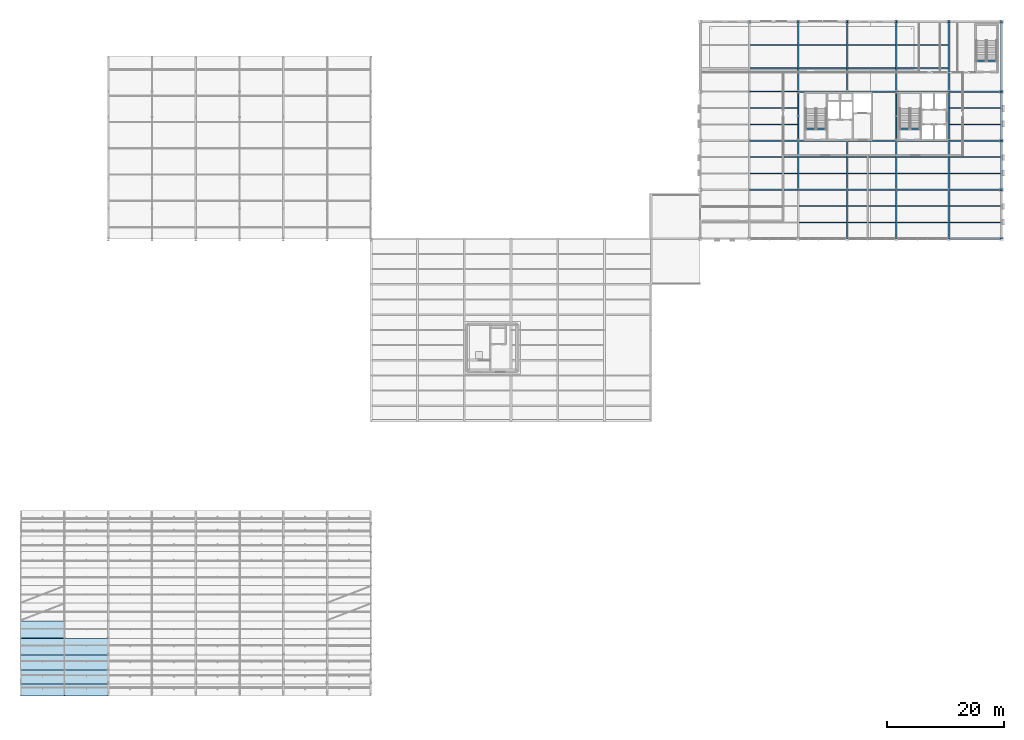
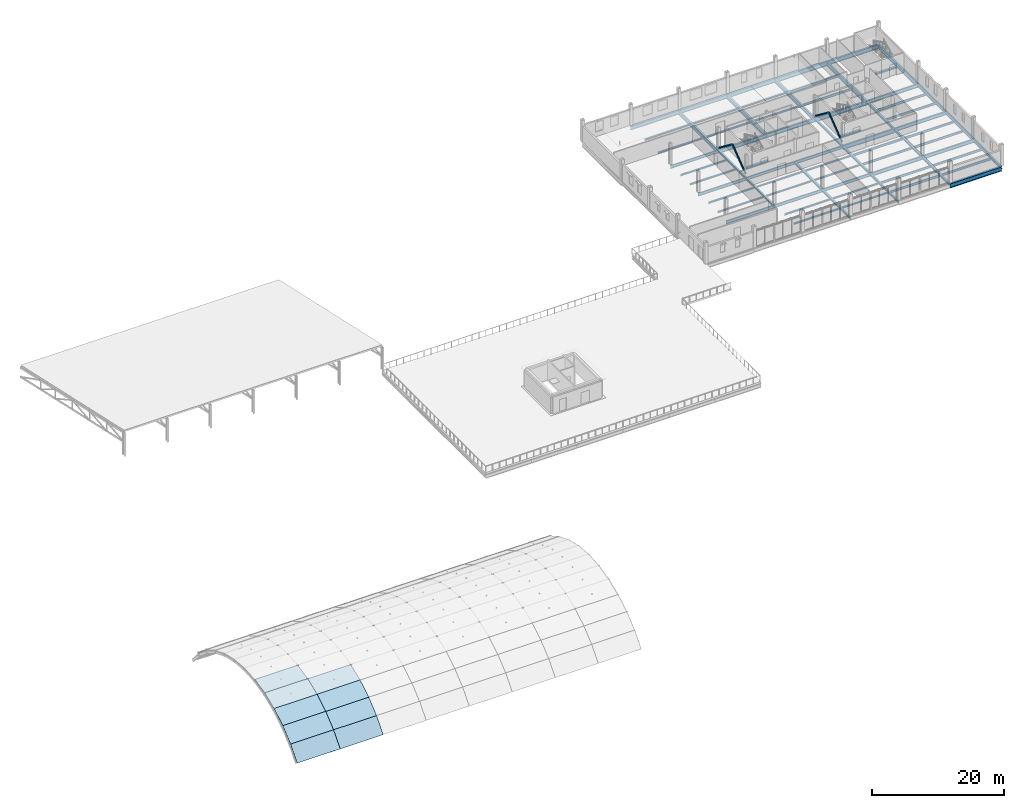
# One storey, part 41 of 77: 72 beams, 9 plates, 4 members.
"""IFC4 building model written with IfcOpenShell, lengths in metres."""

from ifc_helpers import new_model, si_unit, direction, frame, origin, origin_2d, place, context, subcontext, project, spatial, polyline, rectangle, hollow_circle, i_section, outline, extrude, material, layer, layer_set, material_profile, profile_set, type_object, element, save


model = new_model("IFC4")

# Units and contexts
model_context = context("Model", 3, precision=1e-05, world=origin(), true_north=direction((0.0, 1.0)))
body_context = subcontext(model_context, "Body", "Model", "MODEL_VIEW")
ifc_project = project(units=[si_unit("LENGTHUNIT", "METRE"), si_unit("AREAUNIT", "SQUARE_METRE"), si_unit("VOLUMEUNIT", "CUBIC_METRE"), si_unit("PLANEANGLEUNIT", "RADIAN"), si_unit("MASSUNIT", "GRAM", prefix="KILO")], contexts=[model_context])

# Site, building, storey
site_placement = place(None, origin())
site = spatial("IfcSite", under=ifc_project, at=site_placement, CompositionType="ELEMENT")
building_placement = place(site_placement, origin())
building = spatial("IfcBuilding", under=site, at=building_placement, Name="Yukiwa Park Conservatory and Herbarium", CompositionType="ELEMENT")
storey_placement = place(building_placement, frame((0.0, 0.0, 13.199951171875)))
storey = spatial("IfcBuildingStorey", under=building, at=storey_placement, Name="L03", CompositionType="ELEMENT", Elevation=13.199951171875)

# Beams
ifc_material_1 = material(Name="Steel Q355D", Category="steel")
ifc_material_profile_1 = material_profile(ifc_material_1, i_section(OverallWidth=0.300048828125, OverallDepth=0.389892578125, WebThickness=0.010009765625, FlangeThickness=0.01611328125, FilletRadius=0.02001953125, at=origin_2d()), Name="HM 390x300x10x16")
ifc_profile_set_1 = profile_set([ifc_material_profile_1], Name="Steel Q355D")
beam_type_1 = type_object("IfcBeamType", Name="BM-GRD-HM390", PredefinedType="BEAM", material=ifc_profile_set_1)
beam_1_placement = place(storey_placement, frame((133.199951171875, 86.406005859375, -0.4599609375), z_axis=(0.0, 1.0, 0.0), x_axis=(-1.0, 0.0, 0.0)))
element("IfcBeam", 1, at=beam_1_placement, inside=storey, type_object=beam_type_1, Name="L03 grid girder Y-98", PredefinedType="BEAM", context=body_context, shape_type="SweptSolid", body=[
    extrude(i_section(OverallWidth=0.300048828125, OverallDepth=0.389892578125, WebThickness=0.010009765625, FlangeThickness=0.01611328125, FilletRadius=0.02001953125, at=origin_2d()), origin(), (0.0, 0.0, 1.0), 8.387939453125),
])
beam_2_placement = place(storey_placement, frame((133.199951171875, 94.805908203125, -0.4599609375), z_axis=(0.0, 1.0, 0.0), x_axis=(-1.0, 0.0, 0.0)))
element("IfcBeam", 2, at=beam_2_placement, inside=storey, type_object=beam_type_1, Name="L03 grid girder Y-99", PredefinedType="BEAM", context=body_context, shape_type="SweptSolid", body=[
    extrude(i_section(OverallWidth=0.300048828125, OverallDepth=0.389892578125, WebThickness=0.010009765625, FlangeThickness=0.01611328125, FilletRadius=0.02001953125, at=origin_2d()), origin(), (0.0, 0.0, 1.0), 8.38818359375),
])
for number, where, z_axis, x_axis, name in (
    (3, (141.60009765625, 78.006103515625, -0.4599609375), (0.0, 1.0, 0.0), (-1.0, 0.0, 0.0), "L03 grid girder Y-101"),
    (4, (141.60009765625, 86.406005859375, -0.4599609375), (0.0, 1.0, 0.0), (-1.0, 0.0, 0.0), "L03 grid girder Y-102"),
    (5, (150.0, 78.006103515625, -0.4599609375), (0.0, 1.0, 0.0), (-1.0, 0.0, 0.0), "L03 grid girder Y-104"),
    (6, (150.0, 86.406005859375, -0.4599609375), (0.0, 1.0, 0.0), (-1.0, 0.0, 0.0), "L03 grid girder Y-105"),
):
    element("IfcBeam", number, at=place(storey_placement, frame(where, z_axis=z_axis, x_axis=x_axis)), inside=storey, type_object=beam_type_1, Name=name, PredefinedType="BEAM", context=body_context, shape_type="SweptSolid", body=[
        extrude(i_section(OverallWidth=0.300048828125, OverallDepth=0.389892578125, WebThickness=0.010009765625, FlangeThickness=0.01611328125, FilletRadius=0.02001953125, at=origin_2d()), origin(), (0.0, 0.0, 1.0), 8.387939453125),
    ])
beam_3_placement = place(storey_placement, frame((150.0, 94.805908203125, -0.4599609375), z_axis=(0.0, 1.0, 0.0), x_axis=(-1.0, 0.0, 0.0)))
element("IfcBeam", 7, at=beam_3_placement, inside=storey, type_object=beam_type_1, Name="L03 grid girder Y-106", PredefinedType="BEAM", context=body_context, shape_type="SweptSolid", body=[
    extrude(i_section(OverallWidth=0.300048828125, OverallDepth=0.389892578125, WebThickness=0.010009765625, FlangeThickness=0.01611328125, FilletRadius=0.02001953125, at=origin_2d()), origin(), (0.0, 0.0, 1.0), 8.38818359375),
])
for number, where, z_axis, x_axis, name in (
    (8, (159.0, 78.006103515625, -0.4599609375), (0.0, 1.0, 0.0), (-1.0, 0.0, 0.0), "L03 grid girder Y-108"),
    (9, (159.0, 86.406005859375, -0.4599609375), (0.0, 1.0, 0.0), (-1.0, 0.0, 0.0), "L03 grid girder Y-109"),
):
    element("IfcBeam", number, at=place(storey_placement, frame(where, z_axis=z_axis, x_axis=x_axis)), inside=storey, type_object=beam_type_1, Name=name, PredefinedType="BEAM", context=body_context, shape_type="SweptSolid", body=[
        extrude(i_section(OverallWidth=0.300048828125, OverallDepth=0.389892578125, WebThickness=0.010009765625, FlangeThickness=0.01611328125, FilletRadius=0.02001953125, at=origin_2d()), origin(), (0.0, 0.0, 1.0), 8.387939453125),
    ])
beam_4_placement = place(storey_placement, frame((159.0, 94.805908203125, -0.4599609375), z_axis=(0.0, 1.0, 0.0), x_axis=(-1.0, 0.0, 0.0)))
element("IfcBeam", 10, at=beam_4_placement, inside=storey, type_object=beam_type_1, Name="L03 grid girder Y-110", PredefinedType="BEAM", context=body_context, shape_type="SweptSolid", body=[
    extrude(i_section(OverallWidth=0.300048828125, OverallDepth=0.389892578125, WebThickness=0.010009765625, FlangeThickness=0.01611328125, FilletRadius=0.02001953125, at=origin_2d()), origin(), (0.0, 0.0, 1.0), 8.38818359375),
])
ifc_material_2 = material(Name="Steel Q355D", Category="steel")
ifc_material_profile_2 = material_profile(ifc_material_2, i_section(OverallWidth=0.199951171875, OverallDepth=0.550048828125, WebThickness=0.010009765625, FlangeThickness=0.01611328125, FilletRadius=0.02001953125, at=origin_2d()), Name="HN 550x200x10x16")
ifc_profile_set_2 = profile_set([ifc_material_profile_2], Name="Steel Q355D")
beam_type_2 = type_object("IfcBeamType", Name="BM-GRD-HN550", PredefinedType="BEAM", material=ifc_profile_set_2)
beam_5_placement = place(storey_placement, frame((124.805908203125, 86.39990234375, -0.5400390625), z_axis=(1.0, 0.0, 0.0), x_axis=(0.0, 1.0, 0.0)))
element("IfcBeam", 11, at=beam_5_placement, inside=storey, type_object=beam_type_2, Name="L03 grid beam X-37", PredefinedType="BEAM", context=body_context, shape_type="SweptSolid", body=[
    extrude(i_section(OverallWidth=0.199951171875, OverallDepth=0.550048828125, WebThickness=0.010009765625, FlangeThickness=0.01611328125, FilletRadius=0.02001953125, at=origin_2d()), origin(), (0.0, 0.0, 1.0), 8.38818359375),
])
for number, where, z_axis, x_axis, name in (
    (12, (133.2060546875, 86.39990234375, -0.5400390625), (1.0, 0.0, 0.0), (0.0, 1.0, 0.0), "L03 grid beam X-38"),
    (13, (141.60595703125, 86.39990234375, -0.5400390625), (1.0, 0.0, 0.0), (0.0, 1.0, 0.0), "L03 grid beam X-39"),
):
    element("IfcBeam", number, at=place(storey_placement, frame(where, z_axis=z_axis, x_axis=x_axis)), inside=storey, type_object=beam_type_2, Name=name, PredefinedType="BEAM", context=body_context, shape_type="SweptSolid", body=[
        extrude(i_section(OverallWidth=0.199951171875, OverallDepth=0.550048828125, WebThickness=0.010009765625, FlangeThickness=0.01611328125, FilletRadius=0.02001953125, at=origin_2d()), origin(), (0.0, 0.0, 1.0), 8.387939453125),
    ])
beam_6_placement = place(storey_placement, frame((124.805908203125, 94.800048828125, -0.5400390625), z_axis=(1.0, 0.0, 0.0), x_axis=(0.0, 1.0, 0.0)))
element("IfcBeam", 14, at=beam_6_placement, inside=storey, type_object=beam_type_2, Name="L03 grid beam X-43", PredefinedType="BEAM", context=body_context, shape_type="SweptSolid", body=[
    extrude(i_section(OverallWidth=0.199951171875, OverallDepth=0.550048828125, WebThickness=0.010009765625, FlangeThickness=0.01611328125, FilletRadius=0.02001953125, at=origin_2d()), origin(), (0.0, 0.0, 1.0), 8.38818359375),
])
for number, where, z_axis, x_axis, name in (
    (15, (133.2060546875, 94.800048828125, -0.5400390625), (1.0, 0.0, 0.0), (0.0, 1.0, 0.0), "L03 grid beam X-44"),
    (16, (141.60595703125, 94.800048828125, -0.5400390625), (1.0, 0.0, 0.0), (0.0, 1.0, 0.0), "L03 grid beam X-45"),
):
    element("IfcBeam", number, at=place(storey_placement, frame(where, z_axis=z_axis, x_axis=x_axis)), inside=storey, type_object=beam_type_2, Name=name, PredefinedType="BEAM", context=body_context, shape_type="SweptSolid", body=[
        extrude(i_section(OverallWidth=0.199951171875, OverallDepth=0.550048828125, WebThickness=0.010009765625, FlangeThickness=0.01611328125, FilletRadius=0.02001953125, at=origin_2d()), origin(), (0.0, 0.0, 1.0), 8.387939453125),
    ])
beam_7_placement = place(storey_placement, frame((124.805908203125, 103.199951171875, -0.5400390625), z_axis=(1.0, 0.0, 0.0), x_axis=(0.0, 1.0, 0.0)))
element("IfcBeam", 17, at=beam_7_placement, inside=storey, type_object=beam_type_2, Name="L03 grid beam X-49", PredefinedType="BEAM", context=body_context, shape_type="SweptSolid", body=[
    extrude(i_section(OverallWidth=0.199951171875, OverallDepth=0.550048828125, WebThickness=0.010009765625, FlangeThickness=0.01611328125, FilletRadius=0.02001953125, at=origin_2d()), origin(), (0.0, 0.0, 1.0), 8.38818359375),
])
ifc_material_3 = material(Name="Steel Q355D", Category="steel")
ifc_material_profile_3 = material_profile(ifc_material_3, i_section(OverallWidth=0.25, OverallDepth=0.64990234375, WebThickness=0.011962890625, FlangeThickness=0.02001953125, FilletRadius=0.02392578125, at=origin_2d()), Name="HN 650x250x12x20")
ifc_profile_set_3 = profile_set([ifc_material_profile_3], Name="Steel Q355D")
beam_type_3 = type_object("IfcBeamType", Name="BM-GRD-HN650", PredefinedType="BEAM", material=ifc_profile_set_3)
for number, where, z_axis, x_axis, name in (
    (18, (150.006103515625, 86.39990234375, -0.58984375), (1.0, 0.0, 0.0), (0.0, 1.0, 0.0), "L03 grid beam X-40"),
    (19, (159.006103515625, 86.39990234375, -0.58984375), (1.0, 0.0, 0.0), (0.0, 1.0, 0.0), "L03 grid beam X-41"),
    (20, (159.006103515625, 94.800048828125, -0.58984375), (1.0, 0.0, 0.0), (0.0, 1.0, 0.0), "L03 grid beam X-47"),
    (21, (159.006103515625, 103.199951171875, -0.58984375), (1.0, 0.0, 0.0), (0.0, 1.0, 0.0), "L03 grid beam X-53"),
):
    element("IfcBeam", number, at=place(storey_placement, frame(where, z_axis=z_axis, x_axis=x_axis)), inside=storey, type_object=beam_type_3, Name=name, PredefinedType="BEAM", context=body_context, shape_type="SweptSolid", body=[
        extrude(i_section(OverallWidth=0.25, OverallDepth=0.64990234375, WebThickness=0.011962890625, FlangeThickness=0.02001953125, FilletRadius=0.02392578125, at=origin_2d()), origin(), (0.0, 0.0, 1.0), 8.98779296875),
    ])
ifc_material_4 = material(Name="Steel Q355D", Category="steel")
ifc_material_profile_4 = material_profile(ifc_material_4, i_section(OverallWidth=0.300048828125, OverallDepth=0.75, WebThickness=0.012939453125, FlangeThickness=0.02392578125, FilletRadius=0.028076171875, at=origin_2d()), Name="HN 750x300x13x24")
ifc_profile_set_4 = profile_set([ifc_material_profile_4], Name="Steel Q355D")
beam_type_4 = type_object("IfcBeamType", Name="BM-GRD-HN750", PredefinedType="BEAM", material=ifc_profile_set_4)
for number, where, z_axis, x_axis, name in (
    (22, (133.199951171875, 103.2060546875, -0.639892578125), (0.0, 1.0, 0.0), (-1.0, 0.0, 0.0), "L03 grid girder Y-100"),
    (23, (141.60009765625, 103.2060546875, -0.639892578125), (0.0, 1.0, 0.0), (-1.0, 0.0, 0.0), "L03 grid girder Y-103"),
    (24, (150.0, 103.2060546875, -0.639892578125), (0.0, 1.0, 0.0), (-1.0, 0.0, 0.0), "L03 grid girder Y-107"),
    (25, (159.0, 103.2060546875, -0.639892578125), (0.0, 1.0, 0.0), (-1.0, 0.0, 0.0), "L03 grid girder Y-111"),
):
    element("IfcBeam", number, at=place(storey_placement, frame(where, z_axis=z_axis, x_axis=x_axis)), inside=storey, type_object=beam_type_4, Name=name, PredefinedType="BEAM", context=body_context, shape_type="SweptSolid", body=[
        extrude(i_section(OverallWidth=0.300048828125, OverallDepth=0.75, WebThickness=0.012939453125, FlangeThickness=0.02392578125, FilletRadius=0.028076171875, at=origin_2d()), origin(), (0.0, 0.0, 1.0), 11.988037109375),
    ])
ifc_material_5 = material(Name="Steel Q355D", Category="steel")
ifc_material_profile_5 = material_profile(ifc_material_5, i_section(OverallWidth=0.199951171875, OverallDepth=0.2939453125, WebThickness=0.008056640625, FlangeThickness=0.011962890625, FilletRadius=0.01806640625, at=origin_2d()), Name="HM 294x200x8x12")
ifc_profile_set_5 = profile_set([ifc_material_profile_5], Name="Steel Q355D")
beam_type_5 = type_object("IfcBeamType", Name="BM-JST-HM294", PredefinedType="JOIST", material=ifc_profile_set_5)
for number, where, z_axis, x_axis, name in (
    (26, (124.946044921875, 89.199951171875, -0.411865234375), (1.0, 0.0, 0.0), (0.0, 1.0, 0.0), "L03 composite floor joist 55"),
    (27, (124.946044921875, 92.0, -0.411865234375), (1.0, 0.0, 0.0), (0.0, 1.0, 0.0), "L03 composite floor joist 56"),
    (28, (124.946044921875, 97.60009765625, -0.411865234375), (1.0, 0.0, 0.0), (0.0, 1.0, 0.0), "L03 composite floor joist 57"),
    (29, (124.946044921875, 100.39990234375, -0.411865234375), (1.0, 0.0, 0.0), (0.0, 1.0, 0.0), "L03 composite floor joist 58"),
    (30, (124.946044921875, 107.199951171875, -0.411865234375), (1.0, 0.0, 0.0), (0.0, 1.0, 0.0), "L03 composite floor joist 59"),
    (31, (124.946044921875, 111.199951171875, -0.411865234375), (1.0, 0.0, 0.0), (0.0, 1.0, 0.0), "L03 composite floor joist 60"),
):
    element("IfcBeam", number, at=place(storey_placement, frame(where, z_axis=z_axis, x_axis=x_axis)), inside=storey, type_object=beam_type_5, Name=name, PredefinedType="JOIST", context=body_context, shape_type="SweptSolid", body=[
        extrude(i_section(OverallWidth=0.199951171875, OverallDepth=0.2939453125, WebThickness=0.008056640625, FlangeThickness=0.011962890625, FilletRadius=0.01806640625, at=origin_2d()), origin(), (0.0, 0.0, 1.0), 8.10791015625),
    ])
for number, where, z_axis, x_axis, name in (
    (32, (133.345947265625, 80.800048828125, -0.411865234375), (1.0, 0.0, 0.0), (0.0, 1.0, 0.0), "L03 composite floor joist 61"),
    (33, (133.345947265625, 83.60009765625, -0.411865234375), (1.0, 0.0, 0.0), (0.0, 1.0, 0.0), "L03 composite floor joist 62"),
    (34, (133.345947265625, 89.199951171875, -0.411865234375), (1.0, 0.0, 0.0), (0.0, 1.0, 0.0), "L03 composite floor joist 63"),
    (35, (133.345947265625, 92.0, -0.411865234375), (1.0, 0.0, 0.0), (0.0, 1.0, 0.0), "L03 composite floor joist 64"),
    (36, (133.345947265625, 107.199951171875, -0.411865234375), (1.0, 0.0, 0.0), (0.0, 1.0, 0.0), "L03 composite floor joist 65"),
    (37, (133.345947265625, 111.199951171875, -0.411865234375), (1.0, 0.0, 0.0), (0.0, 1.0, 0.0), "L03 composite floor joist 66"),
):
    element("IfcBeam", number, at=place(storey_placement, frame(where, z_axis=z_axis, x_axis=x_axis)), inside=storey, type_object=beam_type_5, Name=name, PredefinedType="JOIST", context=body_context, shape_type="SweptSolid", body=[
        extrude(i_section(OverallWidth=0.199951171875, OverallDepth=0.2939453125, WebThickness=0.008056640625, FlangeThickness=0.011962890625, FilletRadius=0.01806640625, at=origin_2d()), origin(), (0.0, 0.0, 1.0), 8.108154296875),
    ])
for number, where, z_axis, x_axis, name in (
    (38, (141.74609375, 80.800048828125, -0.411865234375), (1.0, 0.0, 0.0), (0.0, 1.0, 0.0), "L03 composite floor joist 67"),
    (39, (141.74609375, 83.60009765625, -0.411865234375), (1.0, 0.0, 0.0), (0.0, 1.0, 0.0), "L03 composite floor joist 68"),
    (40, (141.74609375, 89.199951171875, -0.411865234375), (1.0, 0.0, 0.0), (0.0, 1.0, 0.0), "L03 composite floor joist 69"),
    (41, (141.74609375, 92.0, -0.411865234375), (1.0, 0.0, 0.0), (0.0, 1.0, 0.0), "L03 composite floor joist 70"),
    (42, (141.74609375, 107.199951171875, -0.411865234375), (1.0, 0.0, 0.0), (0.0, 1.0, 0.0), "L03 composite floor joist 71"),
    (43, (141.74609375, 111.199951171875, -0.411865234375), (1.0, 0.0, 0.0), (0.0, 1.0, 0.0), "L03 composite floor joist 72"),
):
    element("IfcBeam", number, at=place(storey_placement, frame(where, z_axis=z_axis, x_axis=x_axis)), inside=storey, type_object=beam_type_5, Name=name, PredefinedType="JOIST", context=body_context, shape_type="SweptSolid", body=[
        extrude(i_section(OverallWidth=0.199951171875, OverallDepth=0.2939453125, WebThickness=0.008056640625, FlangeThickness=0.011962890625, FilletRadius=0.01806640625, at=origin_2d()), origin(), (0.0, 0.0, 1.0), 8.10791015625),
    ])
ifc_material_6 = material(Name="Steel Q355D", Category="steel")
ifc_material_profile_6 = material_profile(ifc_material_6, i_section(OverallWidth=0.199951171875, OverallDepth=0.39990234375, WebThickness=0.008056640625, FlangeThickness=0.012939453125, FilletRadius=0.01611328125, at=origin_2d()), Name="HN 400x200x8x13")
ifc_profile_set_6 = profile_set([ifc_material_profile_6], Name="Steel Q355D")
beam_type_6 = type_object("IfcBeamType", Name="BM-JST-HN400", PredefinedType="JOIST", material=ifc_profile_set_6)
for number, where, z_axis, x_axis, name in (
    (44, (150.14599609375, 80.800048828125, -0.46484375), (1.0, 0.0, 0.0), (0.0, 1.0, 0.0), "L03 composite floor joist 73"),
    (45, (150.14599609375, 83.60009765625, -0.46484375), (1.0, 0.0, 0.0), (0.0, 1.0, 0.0), "L03 composite floor joist 74"),
    (46, (150.14599609375, 89.199951171875, -0.46484375), (1.0, 0.0, 0.0), (0.0, 1.0, 0.0), "L03 composite floor joist 75"),
    (47, (150.14599609375, 92.0, -0.46484375), (1.0, 0.0, 0.0), (0.0, 1.0, 0.0), "L03 composite floor joist 76"),
    (48, (150.14599609375, 107.199951171875, -0.46484375), (1.0, 0.0, 0.0), (0.0, 1.0, 0.0), "L03 composite floor joist 77"),
    (49, (150.14599609375, 111.199951171875, -0.46484375), (1.0, 0.0, 0.0), (0.0, 1.0, 0.0), "L03 composite floor joist 78"),
    (50, (159.14599609375, 80.800048828125, -0.46484375), (1.0, 0.0, 0.0), (0.0, 1.0, 0.0), "L03 composite floor joist 79"),
    (51, (159.14599609375, 83.60009765625, -0.46484375), (1.0, 0.0, 0.0), (0.0, 1.0, 0.0), "L03 composite floor joist 80"),
    (52, (159.14599609375, 89.199951171875, -0.46484375), (1.0, 0.0, 0.0), (0.0, 1.0, 0.0), "L03 composite floor joist 81"),
    (53, (159.14599609375, 92.0, -0.46484375), (1.0, 0.0, 0.0), (0.0, 1.0, 0.0), "L03 composite floor joist 82"),
    (54, (159.14599609375, 97.60009765625, -0.46484375), (1.0, 0.0, 0.0), (0.0, 1.0, 0.0), "L03 composite floor joist 83"),
    (55, (159.14599609375, 100.39990234375, -0.46484375), (1.0, 0.0, 0.0), (0.0, 1.0, 0.0), "L03 composite floor joist 84"),
):
    element("IfcBeam", number, at=place(storey_placement, frame(where, z_axis=z_axis, x_axis=x_axis)), inside=storey, type_object=beam_type_6, Name=name, PredefinedType="JOIST", context=body_context, shape_type="SweptSolid", body=[
        extrude(i_section(OverallWidth=0.199951171875, OverallDepth=0.39990234375, WebThickness=0.008056640625, FlangeThickness=0.012939453125, FilletRadius=0.01611328125, at=origin_2d()), origin(), (0.0, 0.0, 1.0), 8.7080078125),
    ])
ifc_material_7 = material(Name="Steel Q355D", Category="steel")
ifc_material_profile_7 = material_profile(ifc_material_7, i_section(OverallWidth=0.300048828125, OverallDepth=0.5, WebThickness=0.010986328125, FlangeThickness=0.01806640625, FilletRadius=0.02392578125, at=origin_2d()), Name="HM 500x300x11x18")
ifc_profile_set_7 = profile_set([ifc_material_profile_7], Name="Steel Q355D")
beam_type_7 = type_object("IfcBeamType", Name="BM-SPN-HN500", PredefinedType="SPANDREL", material=ifc_profile_set_7)
for number, where, z_axis, x_axis, name in (
    (56, (168.0, 78.006103515625, -0.514892578125), (0.0, 1.0, 0.0), (-1.0, 0.0, 0.0), "L03 spandrel girder Y-112"),
    (57, (168.0, 86.406005859375, -0.514892578125), (0.0, 1.0, 0.0), (-1.0, 0.0, 0.0), "L03 spandrel girder Y-113"),
):
    element("IfcBeam", number, at=place(storey_placement, frame(where, z_axis=z_axis, x_axis=x_axis)), inside=storey, type_object=beam_type_7, Name=name, PredefinedType="SPANDREL", context=body_context, shape_type="SweptSolid", body=[
        extrude(i_section(OverallWidth=0.300048828125, OverallDepth=0.5, WebThickness=0.010986328125, FlangeThickness=0.01806640625, FilletRadius=0.02392578125, at=origin_2d()), origin(), (0.0, 0.0, 1.0), 8.387939453125),
    ])
beam_8_placement = place(storey_placement, frame((168.0, 94.805908203125, -0.514892578125), z_axis=(0.0, 1.0, 0.0), x_axis=(-1.0, 0.0, 0.0)))
element("IfcBeam", 58, at=beam_8_placement, inside=storey, type_object=beam_type_7, Name="L03 spandrel girder Y-114", PredefinedType="SPANDREL", context=body_context, shape_type="SweptSolid", body=[
    extrude(i_section(OverallWidth=0.300048828125, OverallDepth=0.5, WebThickness=0.010986328125, FlangeThickness=0.01806640625, FilletRadius=0.02392578125, at=origin_2d()), origin(), (0.0, 0.0, 1.0), 8.38818359375),
])
ifc_material_8 = material(Name="Steel Q355D", Category="steel")
ifc_material_profile_8 = material_profile(ifc_material_8, i_section(OverallWidth=0.300048828125, OverallDepth=0.69189453125, WebThickness=0.012939453125, FlangeThickness=0.02001953125, FilletRadius=0.028076171875, at=origin_2d()), Name="HN 692x300x13x20")
ifc_profile_set_8 = profile_set([ifc_material_profile_8], Name="Steel Q355D")
beam_type_8 = type_object("IfcBeamType", Name="BM-SPN-HN550", PredefinedType="SPANDREL", material=ifc_profile_set_8)
for number, where, z_axis, x_axis, name in (
    (59, (133.2060546875, 103.199951171875, -0.61083984375), (1.0, 0.0, 0.0), (0.0, 1.0, 0.0), "L03 spandrel beam X-50"),
    (60, (141.60595703125, 103.199951171875, -0.61083984375), (1.0, 0.0, 0.0), (0.0, 1.0, 0.0), "L03 spandrel beam X-51"),
):
    element("IfcBeam", number, at=place(storey_placement, frame(where, z_axis=z_axis, x_axis=x_axis)), inside=storey, type_object=beam_type_8, Name=name, PredefinedType="SPANDREL", context=body_context, shape_type="SweptSolid", body=[
        extrude(i_section(OverallWidth=0.300048828125, OverallDepth=0.69189453125, WebThickness=0.012939453125, FlangeThickness=0.02001953125, FilletRadius=0.028076171875, at=origin_2d()), origin(), (0.0, 0.0, 1.0), 8.387939453125),
    ])
beam_9_placement = place(storey_placement, frame((124.805908203125, 115.199951171875, -0.61083984375), z_axis=(1.0, 0.0, 0.0), x_axis=(0.0, 1.0, 0.0)))
element("IfcBeam", 61, at=beam_9_placement, inside=storey, type_object=beam_type_8, Name="L03 spandrel beam X-55", PredefinedType="SPANDREL", context=body_context, shape_type="SweptSolid", body=[
    extrude(i_section(OverallWidth=0.300048828125, OverallDepth=0.69189453125, WebThickness=0.012939453125, FlangeThickness=0.02001953125, FilletRadius=0.028076171875, at=origin_2d()), origin(), (0.0, 0.0, 1.0), 8.38818359375),
])
for number, where, z_axis, x_axis, name in (
    (62, (133.2060546875, 115.199951171875, -0.61083984375), (1.0, 0.0, 0.0), (0.0, 1.0, 0.0), "L03 spandrel beam X-56"),
    (63, (141.60595703125, 115.199951171875, -0.61083984375), (1.0, 0.0, 0.0), (0.0, 1.0, 0.0), "L03 spandrel beam X-57"),
):
    element("IfcBeam", number, at=place(storey_placement, frame(where, z_axis=z_axis, x_axis=x_axis)), inside=storey, type_object=beam_type_8, Name=name, PredefinedType="SPANDREL", context=body_context, shape_type="SweptSolid", body=[
        extrude(i_section(OverallWidth=0.300048828125, OverallDepth=0.69189453125, WebThickness=0.012939453125, FlangeThickness=0.02001953125, FilletRadius=0.028076171875, at=origin_2d()), origin(), (0.0, 0.0, 1.0), 8.387939453125),
    ])
ifc_material_9 = material(Name="Steel Q355D", Category="steel")
ifc_material_profile_9 = material_profile(ifc_material_9, i_section(OverallWidth=0.300048828125, OverallDepth=0.7919921875, WebThickness=0.013916015625, FlangeThickness=0.02197265625, FilletRadius=0.028076171875, at=origin_2d()), Name="HN 792x300x14x22")
ifc_profile_set_9 = profile_set([ifc_material_profile_9], Name="Steel Q355D")
beam_type_9 = type_object("IfcBeamType", Name="BM-SPN-HN600", PredefinedType="SPANDREL", material=ifc_profile_set_9)
for number, where, z_axis, x_axis, name in (
    (64, (159.006103515625, 78.0, -0.660888671875), (1.0, 0.0, 0.0), (0.0, 1.0, 0.0), "L03 spandrel beam X-35"),
    (65, (150.006103515625, 94.800048828125, -0.660888671875), (1.0, 0.0, 0.0), (0.0, 1.0, 0.0), "L03 spandrel beam X-46"),
    (66, (150.006103515625, 103.199951171875, -0.660888671875), (1.0, 0.0, 0.0), (0.0, 1.0, 0.0), "L03 spandrel beam X-52"),
    (67, (150.006103515625, 115.199951171875, -0.660888671875), (1.0, 0.0, 0.0), (0.0, 1.0, 0.0), "L03 spandrel beam X-58"),
    (68, (159.006103515625, 115.199951171875, -0.660888671875), (1.0, 0.0, 0.0), (0.0, 1.0, 0.0), "L03 spandrel beam X-59"),
):
    element("IfcBeam", number, at=place(storey_placement, frame(where, z_axis=z_axis, x_axis=x_axis)), inside=storey, type_object=beam_type_9, Name=name, PredefinedType="SPANDREL", context=body_context, shape_type="SweptSolid", body=[
        extrude(i_section(OverallWidth=0.300048828125, OverallDepth=0.7919921875, WebThickness=0.013916015625, FlangeThickness=0.02197265625, FilletRadius=0.028076171875, at=origin_2d()), origin(), (0.0, 0.0, 1.0), 8.98779296875),
    ])
beam_10_placement = place(storey_placement, frame((168.0, 103.2060546875, -0.660888671875), z_axis=(0.0, 1.0, 0.0), x_axis=(-1.0, 0.0, 0.0)))
element("IfcBeam", 69, at=beam_10_placement, inside=storey, type_object=beam_type_9, Name="L03 spandrel girder Y-115", PredefinedType="SPANDREL", context=body_context, shape_type="SweptSolid", body=[
    extrude(i_section(OverallWidth=0.300048828125, OverallDepth=0.7919921875, WebThickness=0.013916015625, FlangeThickness=0.02197265625, FilletRadius=0.028076171875, at=origin_2d()), origin(), (0.0, 0.0, 1.0), 11.988037109375),
])
ifc_material_10 = material(Name="Concrete C40", Category="concrete")
ifc_material_profile_10 = material_profile(ifc_material_10, rectangle(XDim=0.35009765625, YDim=0.300048828125, at=origin_2d()), Name="RC 350x300")
ifc_profile_set_10 = profile_set([ifc_material_profile_10], Name="Concrete C40")
beam_type_10 = type_object("IfcBeamType", Name="BM-STAIR-TRIM", PredefinedType="BEAM", material=ifc_profile_set_10)
for number, where, z_axis, x_axis, name in (
    (70, (134.3701171875, 96.81005859375, -0.14990234375), (1.0, 0.0, 0.0), (0.0, 1.0, 0.0), "Stair ST-T1 L03 landing trimmer beam"),
    (71, (150.47998046875, 96.81005859375, -0.14990234375), (1.0, 0.0, 0.0), (0.0, 1.0, 0.0), "Stair ST-T2 L03 landing trimmer beam"),
    (72, (163.570068359375, 108.4599609375, -0.14990234375), (1.0, 0.0, 0.0), (0.0, 1.0, 0.0), "Stair ST-T3 L03 landing trimmer beam"),
):
    element("IfcBeam", number, at=place(storey_placement, frame(where, z_axis=z_axis, x_axis=x_axis)), inside=storey, type_object=beam_type_10, Name=name, PredefinedType="BEAM", context=body_context, shape_type="SweptSolid", body=[
        extrude(rectangle(XDim=0.35009765625, YDim=0.300048828125, at=origin_2d()), origin(), (0.0, 0.0, 1.0), 3.75),
    ])

# Members
ifc_material_11 = material(Name="Steel Q355D", Category="steel")
ifc_material_profile_11 = material_profile(ifc_material_11, hollow_circle(Radius=0.149169921875, WallThickness=0.011962890625, at=origin_2d()), Name="CHS 298.5x12")
ifc_profile_set_11 = profile_set([ifc_material_profile_11], Name="Steel Q355D")
member_type = type_object("IfcMemberType", Name="MB-BR-CHS298", PredefinedType="BRACE", material=ifc_profile_set_11)
for number, where, z_axis, x_axis, name in (
    (73, (133.199951171875, 95.00537109375, 0.2060546875), (0.0, 0.795860285517, 0.605480310115), (-1.0, 0.0, 0.0), "L03 concentric chevron brace 25"),
    (74, (133.199951171875, 102.99462890625, 0.2060546875), (0.0, -0.795860285517, 0.605480310115), (1.0, 0.0, 0.0), "L03 concentric chevron brace 26"),
    (75, (150.0, 95.00537109375, 0.2060546875), (0.0, 0.795860285517, 0.605480310115), (-1.0, 0.0, 0.0), "L03 concentric chevron brace 27"),
    (76, (150.0, 102.99462890625, 0.2060546875), (0.0, -0.795860285517, 0.605480310115), (1.0, 0.0, 0.0), "L03 concentric chevron brace 28"),
):
    element("IfcMember", number, at=place(storey_placement, frame(where, z_axis=z_axis, x_axis=x_axis)), inside=storey, type_object=member_type, Name=name, PredefinedType="BRACE", context=body_context, shape_type="SweptSolid", body=[
        extrude(hollow_circle(Radius=0.149169921875, WallThickness=0.011962890625, at=origin_2d()), origin(), (0.0, 0.0, 1.0), 5.019287109375),
    ])

# Plates
ifc_material_12 = material(Name="Laminated Tempered Safety Glass", Category="glass")
ifc_layer_1 = layer(ifc_material_12, 0.031982421875)
ifc_layer_set_1 = layer_set([ifc_layer_1], Name="Laminated Tempered Safety Glass")
plate_type_1 = type_object("IfcPlateType", Name="PL-VAULT-GLASS-32", PredefinedType="SHEET", material=ifc_layer_set_1)
plate_1_placement = place(storey_placement, frame((7.5, -0.27197265625, -3.995849609375), z_axis=(0.0, -0.75130141371, 0.659959230375), x_axis=(1.0, 0.0, 0.0)))
element("IfcPlate", 77, at=plate_1_placement, inside=storey, type_object=plate_type_1, Name="Conservatory Barrel Vault Glazed Roof Panel 2.1", PredefinedType="SHEET", context=body_context, shape_type="SweptSolid", body=[
    extrude(outline(polyline([(0.0, 0.0), (7.5, 0.0), (7.5, 3.0630443244962575), (0.0, 3.0630443244962575), (0.0, 0.0)])), origin(), (0.0, 0.0, -1.0), 0.031982421875),
])
plate_2_placement = place(storey_placement, frame((7.5, 1.74951171875, -1.694580078125), z_axis=(0.0, -0.640725169959, 0.767770314991), x_axis=(1.0, 0.0, 0.0)))
element("IfcPlate", 78, at=plate_2_placement, inside=storey, type_object=plate_type_1, Name="Conservatory Barrel Vault Glazed Roof Panel 2.2", PredefinedType="SHEET", context=body_context, shape_type="SweptSolid", body=[
    extrude(outline(polyline([(0.0, 0.0), (7.5, 0.0), (7.5, 3.0631643275406226), (0.0, 3.0631643275406226), (0.0, 0.0)])), origin(), (0.0, 0.0, -1.0), 0.031982421875),
])
plate_3_placement = place(storey_placement, frame((7.5, 4.101318359375, 0.26806640625), z_axis=(0.0, -0.514929340992, 0.857232625246), x_axis=(1.0, 0.0, 0.0)))
element("IfcPlate", 79, at=plate_3_placement, inside=storey, type_object=plate_type_1, Name="Conservatory Barrel Vault Glazed Roof Panel 2.3", PredefinedType="SHEET", context=body_context, shape_type="SweptSolid", body=[
    extrude(outline(polyline([(0.0, 0.0), (7.5, 0.0), (7.5, 3.063318503244994), (0.0, 3.063318503244994), (0.0, 0.0)])), origin(), (0.0, 0.0, -1.0), 0.031982421875),
])
plate_4_placement = place(storey_placement, frame((7.5, 6.727294921875, 1.845458984375), z_axis=(0.0, -0.376825946755, 0.926284084853), x_axis=(1.0, 0.0, 0.0)))
element("IfcPlate", 80, at=plate_4_placement, inside=storey, type_object=plate_type_1, Name="Conservatory Barrel Vault Glazed Roof Panel 2.4", PredefinedType="SHEET", context=body_context, shape_type="SweptSolid", body=[
    extrude(outline(polyline([(0.0, 0.0), (7.5, 0.0), (7.5, 3.063209646098804), (0.0, 3.063209646098804), (0.0, 0.0)])), origin(), (0.0, 0.0, -1.0), 0.031982421875),
])
ifc_material_13 = material(Name="Laminated Tempered Safety Glass", Category="glass")
ifc_layer_2 = layer(ifc_material_13, 0.0419921875)
ifc_layer_set_2 = layer_set([ifc_layer_2], Name="Laminated Tempered Safety Glass")
plate_type_2 = type_object("IfcPlateType", Name="PL-VAULT-GLASS-42", PredefinedType="SHEET", material=ifc_layer_set_2)
plate_5_placement = place(storey_placement, frame((0.0, -0.27197265625, -3.995849609375), z_axis=(0.0, -0.75130141371, 0.659959230375), x_axis=(1.0, 0.0, 0.0)))
element("IfcPlate", 81, at=plate_5_placement, inside=storey, type_object=plate_type_2, Name="Conservatory Barrel Vault Glazed Roof Panel 1.1", PredefinedType="SHEET", context=body_context, shape_type="SweptSolid", body=[
    extrude(outline(polyline([(0.0, 0.0), (7.5, 0.0), (7.5, 3.0630443244962575), (0.0, 3.0630443244962575), (0.0, 0.0)])), origin(), (0.0, 0.0, -1.0), 0.0419921875),
])
plate_6_placement = place(storey_placement, frame((0.0, 1.74951171875, -1.694580078125), z_axis=(0.0, -0.640725169959, 0.767770314991), x_axis=(1.0, 0.0, 0.0)))
element("IfcPlate", 82, at=plate_6_placement, inside=storey, type_object=plate_type_2, Name="Conservatory Barrel Vault Glazed Roof Panel 1.2", PredefinedType="SHEET", context=body_context, shape_type="SweptSolid", body=[
    extrude(outline(polyline([(0.0, 0.0), (7.5, 0.0), (7.5, 3.0631643275406226), (0.0, 3.0631643275406226), (0.0, 0.0)])), origin(), (0.0, 0.0, -1.0), 0.0419921875),
])
plate_7_placement = place(storey_placement, frame((0.0, 4.101318359375, 0.26806640625), z_axis=(0.0, -0.514929340992, 0.857232625246), x_axis=(1.0, 0.0, 0.0)))
element("IfcPlate", 83, at=plate_7_placement, inside=storey, type_object=plate_type_2, Name="Conservatory Barrel Vault Glazed Roof Panel 1.3", PredefinedType="SHEET", context=body_context, shape_type="SweptSolid", body=[
    extrude(outline(polyline([(0.0, 0.0), (7.5, 0.0), (7.5, 3.063318503244994), (0.0, 3.063318503244994), (0.0, 0.0)])), origin(), (0.0, 0.0, -1.0), 0.0419921875),
])
plate_8_placement = place(storey_placement, frame((0.0, 6.727294921875, 1.845458984375), z_axis=(0.0, -0.376825946755, 0.926284084853), x_axis=(1.0, 0.0, 0.0)))
element("IfcPlate", 84, at=plate_8_placement, inside=storey, type_object=plate_type_2, Name="Conservatory Barrel Vault Glazed Roof Panel 1.4", PredefinedType="SHEET", context=body_context, shape_type="SweptSolid", body=[
    extrude(outline(polyline([(0.0, 0.0), (7.5, 0.0), (7.5, 3.063209646098804), (0.0, 3.063209646098804), (0.0, 0.0)])), origin(), (0.0, 0.0, -1.0), 0.0419921875),
])
plate_9_placement = place(storey_placement, frame((0.0, 9.564697265625, 2.999755859375), z_axis=(0.0, -0.229781150018, 0.973242324962), x_axis=(1.0, 0.0, 0.0)))
element("IfcPlate", 85, at=plate_9_placement, inside=storey, type_object=plate_type_2, Name="Conservatory Barrel Vault Glazed Roof Panel 1.5", PredefinedType="SHEET", context=body_context, shape_type="SweptSolid", body=[
    extrude(outline(polyline([(0.0, 0.0), (7.5, 0.0), (7.5, 3.0631643275406226), (0.0, 3.0631643275406226), (0.0, 0.0)])), origin(), (0.0, 0.0, -1.0), 0.0419921875),
])

save(model, "model.ifc")
